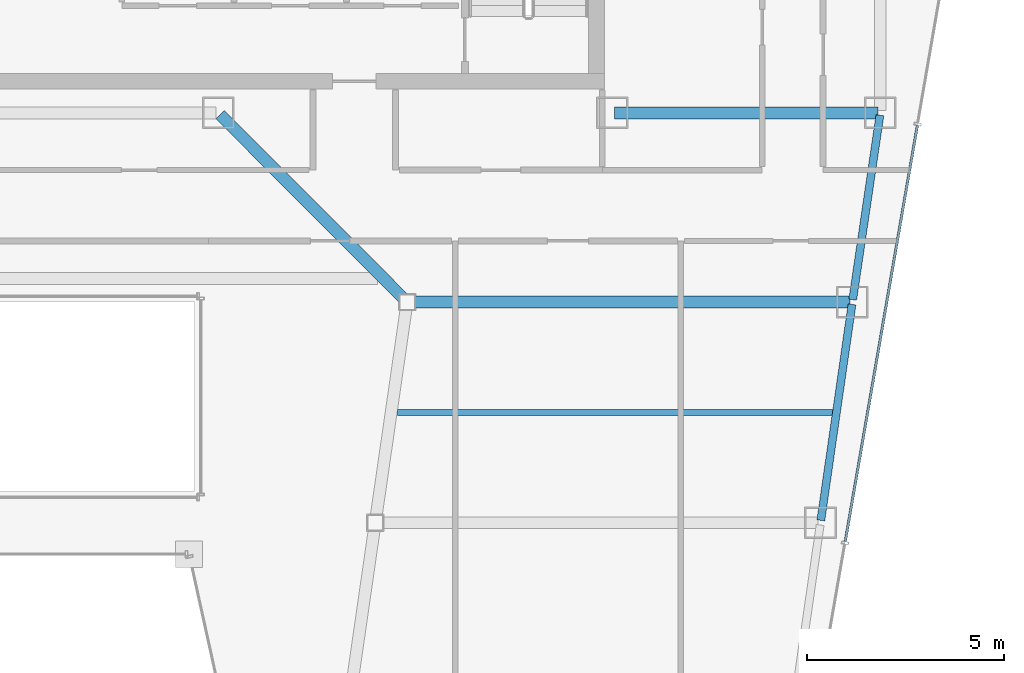
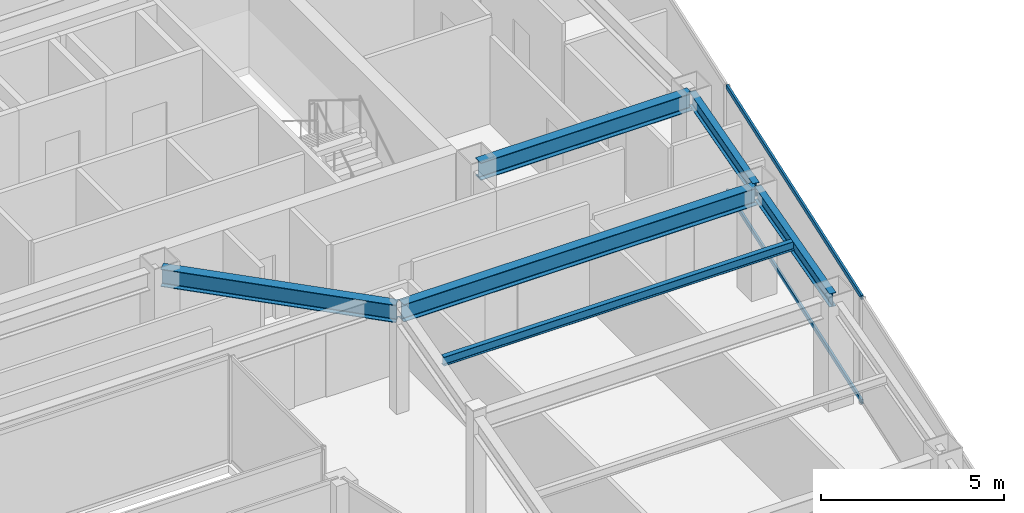
# One storey, part 17 of 33: 6 beams, 2 members, 1 element without a shape of its own.
"""IFC4 building model written with IfcOpenShell, lengths in metres."""

from ifc_helpers import new_model, si_unit, direction, frame, origin, origin_2d, place, context, subcontext, project, spatial, hollow_rectangle, i_section, extrude, material, material_profile, profile_set, type_object, element, aggregate, save


model = new_model("IFC4")

# Units and contexts
model_context = context("Model", 3, precision=1e-05, world=origin(), true_north=direction((0.0, 1.0)))
body_context = subcontext(model_context, "Body", "Model", "MODEL_VIEW")
ifc_project = project(units=[si_unit("LENGTHUNIT", "METRE"), si_unit("AREAUNIT", "SQUARE_METRE"), si_unit("VOLUMEUNIT", "CUBIC_METRE"), si_unit("PLANEANGLEUNIT", "RADIAN"), si_unit("MASSUNIT", "GRAM", prefix="KILO")], contexts=[model_context])

# Site, building, storey
site_placement = place(None, origin())
site = spatial("IfcSite", under=ifc_project, at=site_placement, CompositionType="ELEMENT")
building_placement = place(site_placement, origin())
building = spatial("IfcBuilding", under=site, at=building_placement, Name="Saevonmaru Cultural Tower", CompositionType="ELEMENT")
storey_placement = place(building_placement, frame((0.0, 0.0, 234.39990234375)))
storey = spatial("IfcBuildingStorey", under=building, at=storey_placement, Name="L54", CompositionType="ELEMENT", Elevation=234.39990234375)

# Beams
ifc_material_1 = material(Name="Steel SM355", Category="steel")
ifc_material_profile_1 = material_profile(ifc_material_1, i_section(OverallWidth=0.300048828125, OverallDepth=0.587890625, WebThickness=0.011962890625, FlangeThickness=0.02001953125, FilletRadius=0.02392578125, at=origin_2d()), Name="H-588x300x12x20")
ifc_profile_set_1 = profile_set([ifc_material_profile_1], Name="Steel SM355")
beam_type_1 = type_object("IfcBeamType", Name="BM-G-H588", PredefinedType="BEAM", material=ifc_profile_set_1)
beam_1_placement = place(storey_placement, frame((46.4599609375, 42.39990234375, 3.256103515625), z_axis=(1.0, 0.0, 0.0), x_axis=(0.0, 1.0, 0.0)))
element("IfcBeam", 1, at=beam_1_placement, inside=storey, type_object=beam_type_1, Name="L54 Core South Girder 5", PredefinedType="BEAM", context=body_context, shape_type="SweptSolid", body=[
    extrude(i_section(OverallWidth=0.300048828125, OverallDepth=0.587890625, WebThickness=0.011962890625, FlangeThickness=0.02001953125, FilletRadius=0.02392578125, at=origin_2d()), origin(), (0.0, 0.0, 1.0), 6.679931640625),
])
beam_2_placement = place(storey_placement, frame((41.149658203125, 37.642578125, 3.256103515625), z_axis=(-0.706538566564, 0.707674539572, 0.0), x_axis=(-0.707674539572, -0.706538566564, 0.0)))
element("IfcBeam", 2, at=beam_2_placement, inside=storey, type_object=beam_type_1, Name="L54 East Atrium Girder 4", PredefinedType="BEAM", context=body_context, shape_type="SweptSolid", body=[
    extrude(i_section(OverallWidth=0.300048828125, OverallDepth=0.587890625, WebThickness=0.011962890625, FlangeThickness=0.02001953125, FilletRadius=0.02392578125, at=origin_2d()), origin(), (0.0, 0.0, 1.0), 6.662353515625),
])
beam_3_placement = place(storey_placement, frame((41.251953125, 37.60009765625, 3.256103515625), z_axis=(1.0, 0.0, 0.0), x_axis=(0.0, 1.0, 0.0)))
element("IfcBeam", 3, at=beam_3_placement, inside=storey, type_object=beam_type_1, Name="L54 East Wing Transverse Girder 4", PredefinedType="BEAM", context=body_context, shape_type="SweptSolid", body=[
    extrude(i_section(OverallWidth=0.300048828125, OverallDepth=0.587890625, WebThickness=0.011962890625, FlangeThickness=0.02001953125, FilletRadius=0.02392578125, at=origin_2d()), origin(), (0.0, 0.0, 1.0), 11.179931640625),
])
ifc_material_profile_2 = material_profile(ifc_material_1, i_section(OverallWidth=0.14990234375, OverallDepth=0.300048828125, WebThickness=0.006591796875, FlangeThickness=0.009033203125, FilletRadius=0.012939453125, at=origin_2d()), Name="H-300x150x6.5x9")
ifc_profile_set_2 = profile_set([ifc_material_profile_2], Name="Steel SM355")
beam_type_2 = type_object("IfcBeamType", Name="BM-J-H300", PredefinedType="JOIST", material=ifc_profile_set_2)
beam_4_placement = place(storey_placement, frame((40.945556640625, 34.800048828125, 3.400146484375), z_axis=(1.0, 0.0, 0.0), x_axis=(0.0, 1.0, 0.0)))
element("IfcBeam", 4, at=beam_4_placement, inside=storey, type_object=beam_type_2, Name="L54 East Wing Floor Joist 3", PredefinedType="JOIST", context=body_context, shape_type="SweptSolid", body=[
    extrude(i_section(OverallWidth=0.14990234375, OverallDepth=0.300048828125, WebThickness=0.006591796875, FlangeThickness=0.009033203125, FilletRadius=0.012939453125, at=origin_2d()), origin(), (0.0, 0.0, 1.0), 11.08203125),
])
ifc_material_profile_3 = material_profile(ifc_material_1, i_section(OverallWidth=0.199951171875, OverallDepth=0.449951171875, WebThickness=0.009033203125, FlangeThickness=0.013916015625, FilletRadius=0.01806640625, at=origin_2d()), Name="H-450x200x9x14")
ifc_profile_set_3 = profile_set([ifc_material_profile_3], Name="Steel SM355")
beam_type_3 = type_object("IfcBeamType", Name="BM-SP-H450", PredefinedType="SPANDREL", material=ifc_profile_set_3)
beam_5_placement = place(storey_placement, frame((51.691650390625, 32.059326171875, 3.3251953125), z_axis=(0.142964121327, 0.989727871697, 0.0), x_axis=(-0.989727871697, 0.142964121327, 0.0)))
element("IfcBeam", 5, at=beam_5_placement, inside=storey, type_object=beam_type_3, Name="L54 East Splayed Spandrel 3", PredefinedType="SPANDREL", context=body_context, shape_type="SweptSolid", body=[
    extrude(i_section(OverallWidth=0.199951171875, OverallDepth=0.449951171875, WebThickness=0.009033203125, FlangeThickness=0.013916015625, FilletRadius=0.01806640625, at=origin_2d()), origin(), (0.0, 0.0, 1.0), 5.5380859375),
])
beam_6_placement = place(storey_placement, frame((52.500732421875, 37.659423828125, 3.3251953125), z_axis=(0.145912860028, 0.989297446312, 0.0), x_axis=(-0.989297446312, 0.145912860028, 0.0)))
element("IfcBeam", 6, at=beam_6_placement, inside=storey, type_object=beam_type_3, Name="L54 East Splayed Spandrel 4", PredefinedType="SPANDREL", context=body_context, shape_type="SweptSolid", body=[
    extrude(i_section(OverallWidth=0.199951171875, OverallDepth=0.449951171875, WebThickness=0.009033203125, FlangeThickness=0.013916015625, FilletRadius=0.01806640625, at=origin_2d()), origin(), (0.0, 0.0, 1.0), 4.731689453125),
])

# Curtain wall, members
ifc_material_2 = material(Name="Satin Bronze Anodised Aluminium", Category="aluminium")
curtain_wall_type = type_object("IfcCurtainWallType", Name="CW-TYP-B", PredefinedType="NOTDEFINED", material=ifc_material_2)
curtain_wall_placement = place(storey_placement, origin())
curtain_wall = element("IfcCurtainWall", 7, at=curtain_wall_placement, inside=storey, type_object=curtain_wall_type, Name="L54 Unitised Curtain Wall E8", PredefinedType="NOTDEFINED")
ifc_material_profile_4 = material_profile(ifc_material_2, hollow_rectangle(XDim=0.06494140625, YDim=0.14990234375, WallThickness=0.00390625, at=origin_2d()), Name="ALU-TRAN-150x65x4")
ifc_profile_set_4 = profile_set([ifc_material_profile_4], Name="Satin Bronze Anodised Aluminium")
member_type = type_object("IfcMemberType", Name="TR-CW-150x65", PredefinedType="USERDEFINED", material=ifc_profile_set_4)
member_1_placement = place(storey_placement, frame((52.31103515625, 31.518310546875, 0.03271484375), z_axis=(0.170795272137, 0.985306538604, 0.0), x_axis=(-0.985306538604, 0.170795272137, 0.0)))
member_1 = element("IfcMember", 8, at=member_1_placement, type_object=member_type, Name="CW-TW-L54-E8 transom 2.1", ObjectType="TRANSOM", PredefinedType="USERDEFINED", context=body_context, shape_type="SweptSolid", body=[
    extrude(hollow_rectangle(XDim=0.06494140625, YDim=0.14990234375, WallThickness=0.00390625, at=origin_2d()), origin(), (0.0, 0.0, 1.0), 10.720703125),
])
member_2_placement = place(storey_placement, frame((52.31103515625, 31.518310546875, 3.517578125), z_axis=(0.170795272137, 0.985306538604, 0.0), x_axis=(-0.985306538604, 0.170795272137, 0.0)))
member_2 = element("IfcMember", 9, at=member_2_placement, type_object=member_type, Name="CW-TW-L54-E8 transom 2.2", ObjectType="TRANSOM", PredefinedType="USERDEFINED", context=body_context, shape_type="SweptSolid", body=[
    extrude(hollow_rectangle(XDim=0.06494140625, YDim=0.14990234375, WallThickness=0.00390625, at=origin_2d()), origin(), (0.0, 0.0, 1.0), 10.720703125),
])
aggregate(curtain_wall, [member_1, member_2])

save(model, "model.ifc")
